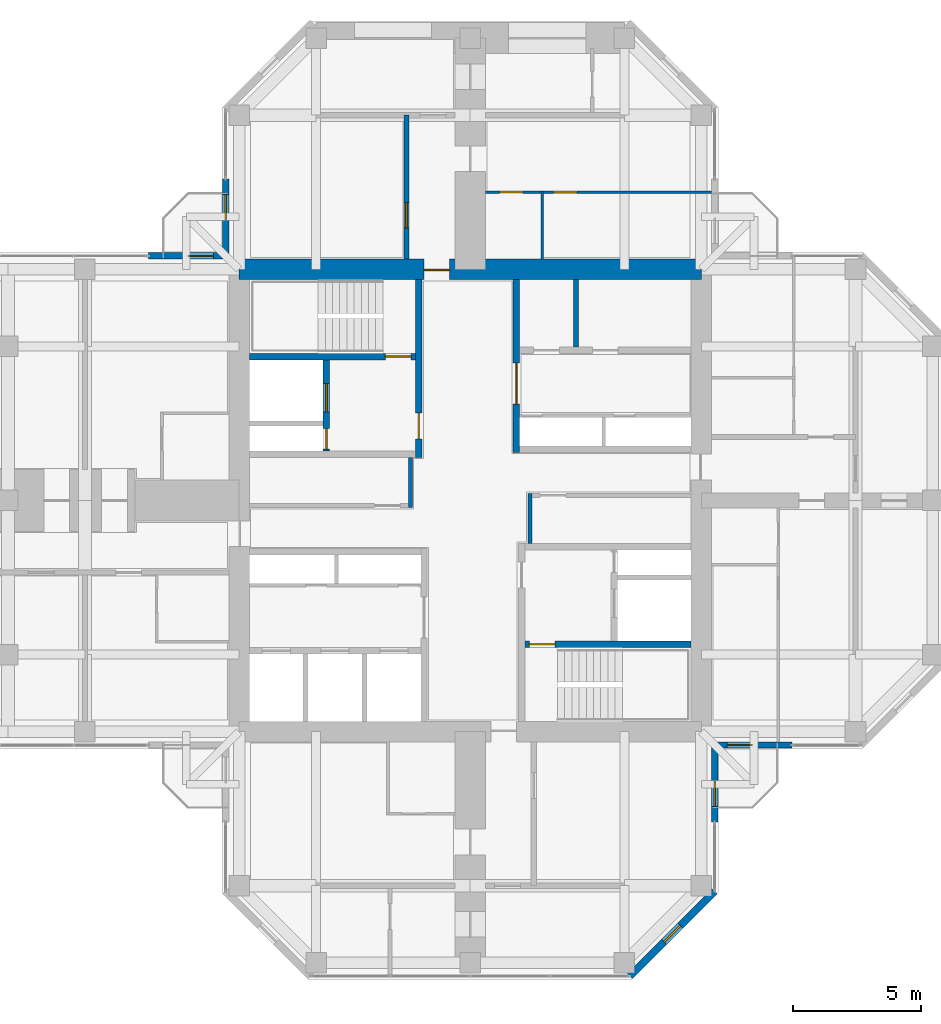
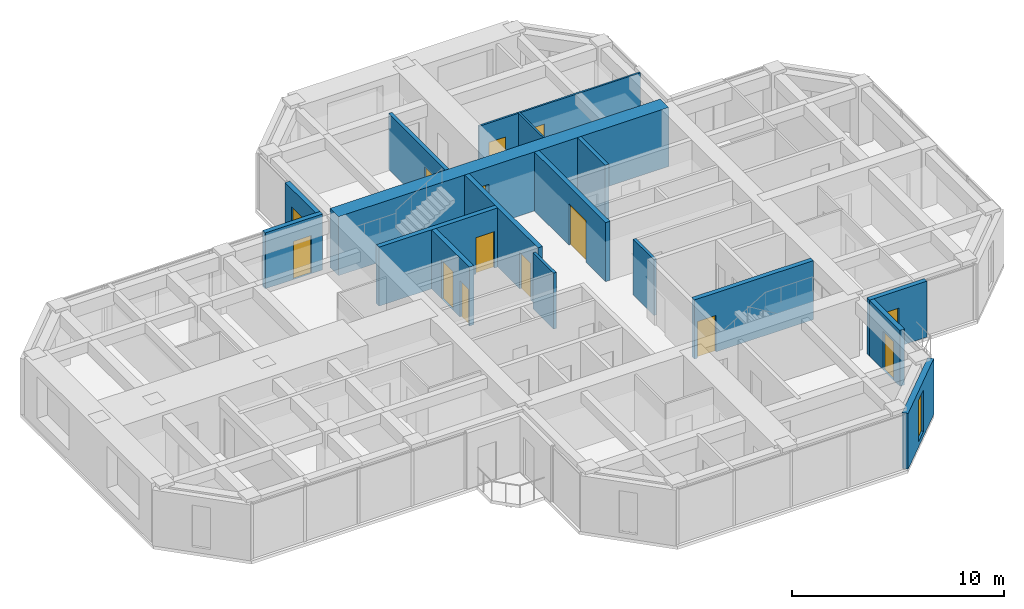
# One storey, part 10 of 13: 17 walls, 14 doors, 1 window, 15 openings.
"""IFC4 building model written with IfcOpenShell, lengths in metres."""

from ifc_helpers import new_model, si_unit, direction, frame, frame_2d, origin, place, context, subcontext, project, spatial, rectangle, hollow_rectangle, extrude, material, layer, layer_set, constituent, constituent_set, type_object, element, fill, save


model = new_model("IFC4")

# Units and contexts
model_context = context("Model", 3, precision=1e-05, world=origin(), true_north=direction((0.0, 1.0)))
body_context = subcontext(model_context, "Body", "Model", "MODEL_VIEW")
ifc_project = project(units=[si_unit("LENGTHUNIT", "METRE"), si_unit("AREAUNIT", "SQUARE_METRE"), si_unit("VOLUMEUNIT", "CUBIC_METRE"), si_unit("PLANEANGLEUNIT", "RADIAN"), si_unit("MASSUNIT", "GRAM", prefix="KILO")], contexts=[model_context])

# Site, building, storey
site_placement = place(None, origin())
site = spatial("IfcSite", under=ifc_project, at=site_placement, CompositionType="ELEMENT")
building_placement = place(site_placement, origin())
building = spatial("IfcBuilding", under=site, at=building_placement, Name="Torre Cruceta", CompositionType="ELEMENT")
storey_placement = place(building_placement, frame((0.0, 0.0, 245.89990234375)))
storey = spatial("IfcBuildingStorey", under=building, at=storey_placement, Name="L63", CompositionType="ELEMENT", Elevation=245.89990234375)

# Wall
ifc_material_1 = material(Name="Water-resistant plasterboard on steel studs", Category="steel")
ifc_layer_1 = layer(ifc_material_1, 0.10009765625)
ifc_layer_set_1 = layer_set([ifc_layer_1], Name="Water-resistant plasterboard on steel studs")
wall_type_1 = type_object("IfcWallType", Name="BATHROOM WALL 100", PredefinedType="PARTITIONING", material=ifc_layer_set_1)
wall_1_placement = place(storey_placement, frame((2.800048828125, 9.39990234375, 0.0), z_axis=(0.0, 0.0, 1.0), x_axis=(0.0, 1.0, 0.0)))
element("IfcWall", 1, at=wall_1_placement, inside=storey, type_object=wall_type_1, Name="PT4 L63-N-U1RBB", PredefinedType="PARTITIONING", context=body_context, shape_type="SweptSolid", body=[
    extrude(rectangle(XDim=2.650146484375, YDim=0.10009765625, at=frame_2d((1.3251953125, 0.0))), origin(), (0.0, 0.0, 1.0), 3.22021484375),
])

# Wall, openings, doors
wall_2_placement = place(storey_placement, frame((9.39501953125, 12.0, 0.0), z_axis=(0.0, 0.0, 1.0), x_axis=(-1.0, 0.0, 0.0)))
wall_2 = element("IfcWall", 2, at=wall_2_placement, inside=storey, type_object=wall_type_1, Name="PT4 L63-N-U1RBS", PredefinedType="PARTITIONING", context=body_context, shape_type="SweptSolid", body=[
    extrude(rectangle(XDim=8.794921875, YDim=0.10009765625, at=frame_2d((4.3974609375, 0.0))), origin(), (0.0, 0.0, 1.0), 3.22021484375),
])
opening_1_placement = place(wall_2_placement, frame((5.2451171875, 0.0, 0.0)))
opening_1 = element("IfcOpeningElement", 3, at=opening_1_placement, cuts=wall_2, Name="Opening D7", PredefinedType="OPENING", context=body_context, shape_type="SweptSolid", body=[
    extrude(rectangle(XDim=0.89990234375, YDim=2.10009765625, at=frame_2d((0.449951171875, 1.050048828125))), frame((0.0, 0.06005859375, 0.0), z_axis=(0.0, -1.0, 0.0), x_axis=(1.0, 0.0, 0.0)), (0.0, 0.0, 1.0), 0.1201171875),
])
opening_2_placement = place(wall_2_placement, frame((7.344970703125, 0.0, 0.0)))
opening_2 = element("IfcOpeningElement", 4, at=opening_2_placement, cuts=wall_2, Name="Opening D7", PredefinedType="OPENING", context=body_context, shape_type="SweptSolid", body=[
    extrude(rectangle(XDim=0.89990234375, YDim=2.10009765625, at=frame_2d((0.449951171875, 1.050048828125))), frame((0.0, 0.06005859375, 0.0), z_axis=(0.0, -1.0, 0.0), x_axis=(1.0, 0.0, 0.0)), (0.0, 0.0, 1.0), 0.1201171875),
])
ifc_material_2 = material(Name="Timber door", Category="wood")
door_type_1 = type_object("IfcDoorType", Name="BATHROOM DOOR 900X2100", OperationType="SINGLE_SWING_LEFT", PredefinedType="DOOR", material=ifc_material_2)
door_1_placement = place(opening_1_placement, origin())
door_1 = element("IfcDoor", 5, at=door_1_placement, inside=storey, type_object=door_type_1, Name="D7 L63-N-U1RBS-D1", OperationType="SINGLE_SWING_RIGHT", OverallHeight=2.10009765625, OverallWidth=0.89990234375, PredefinedType="DOOR", context=body_context, shape_type="SweptSolid", body=[
    extrude(rectangle(XDim=0.89990234375, YDim=2.10009765625, at=frame_2d((0.449951171875, 1.050048828125))), frame((0.0, 0.02490234375, 0.0), z_axis=(0.0, -1.0, 0.0), x_axis=(1.0, 0.0, 0.0)), (0.0, 0.0, 1.0), 0.050048828125),
])
fill(opening_1, door_1)
door_2_placement = place(opening_2_placement, origin())
door_2 = element("IfcDoor", 6, at=door_2_placement, inside=storey, type_object=door_type_1, Name="D7 L63-N-U1RBS-D2", OperationType="SINGLE_SWING_RIGHT", OverallHeight=2.10009765625, OverallWidth=0.89990234375, PredefinedType="DOOR", context=body_context, shape_type="SweptSolid", body=[
    extrude(rectangle(XDim=0.89990234375, YDim=2.10009765625, at=frame_2d((0.449951171875, 1.050048828125))), frame((0.0, 0.02490234375, 0.0), z_axis=(0.0, -1.0, 0.0), x_axis=(1.0, 0.0, 0.0)), (0.0, 0.0, 1.0), 0.050048828125),
])
fill(opening_2, door_2)

# Wall, opening, door
ifc_material_3 = material(Name="Concrete G60 (fck 60 MPa)", Category="concrete")
ifc_layer_2 = layer(ifc_material_3, 0.25)
ifc_layer_set_2 = layer_set([ifc_layer_2], Name="Concrete G60 (fck 60 MPa)")
wall_type_2 = type_object("IfcWallType", Name="CORE INNER WALL 250 G60", PredefinedType="SHEAR", material=ifc_layer_set_2)
wall_3_placement = place(storey_placement, frame((1.800048828125, 1.875, 0.0), z_axis=(0.0, 0.0, 1.0), x_axis=(0.0, 1.0, 0.0)))
wall_3 = element("IfcWall", 7, at=wall_3_placement, inside=storey, type_object=wall_type_2, Name="CW4 L63 NE-CU", PredefinedType="SHEAR", context=body_context, shape_type="SweptSolid", body=[
    extrude(rectangle(XDim=6.72509765625, YDim=0.25, at=frame_2d((3.362548828125, 0.0))), origin(), (0.0, 0.0, 1.0), 3.400146484375),
])
opening_3_placement = place(wall_3_placement, frame((1.875, 0.0, 0.0)))
opening_3 = element("IfcOpeningElement", 8, at=opening_3_placement, cuts=wall_3, Name="Opening D15", PredefinedType="OPENING", context=body_context, shape_type="SweptSolid", body=[
    extrude(rectangle(XDim=1.60009765625, YDim=2.39990234375, at=frame_2d((0.800048828125, 1.199951171875))), frame((0.0, 0.135009765625, 0.0), z_axis=(0.0, -1.0, 0.0), x_axis=(1.0, 0.0, 0.0)), (0.0, 0.0, 1.0), 0.27001953125),
])
ifc_material_4 = material(Name="Steel DX51D", Category="steel")
ifc_constituent_1 = constituent(ifc_material_4, Name="Leaf and frame")
ifc_material_5 = material(Name="Polyester powder coating", Category="paint")
ifc_constituent_2 = constituent(ifc_material_5, Name="Finish")
ifc_constituent_set_1 = constituent_set(constituents=[ifc_constituent_1, ifc_constituent_2], Name="Steel fire door")
door_type_2 = type_object("IfcDoorType", Name="CORE ROOM DOUBLE DOOR 1600X2400", OperationType="DOUBLE_DOOR_SINGLE_SWING", PredefinedType="DOOR", material=ifc_constituent_set_1)
door_3_placement = place(opening_3_placement, frame((1.60009765625, 0.0, 0.0), z_axis=(0.0, 0.0, 1.0), x_axis=(-1.0, 0.0, 0.0)))
door_3 = element("IfcDoor", 9, at=door_3_placement, inside=storey, type_object=door_type_2, Name="D15 L63 NE-LOBBY", OperationType="DOUBLE_DOOR_SINGLE_SWING", OverallHeight=2.39990234375, OverallWidth=1.60009765625, PredefinedType="DOOR", context=body_context, shape_type="SweptSolid", body=[
    extrude(rectangle(XDim=1.60009765625, YDim=2.39990234375, at=frame_2d((0.800048828125, 1.199951171875))), frame((0.0, 0.025146484375, 0.0), z_axis=(0.0, -1.0, 0.0), x_axis=(1.0, 0.0, 0.0)), (0.0, 0.0, 1.0), 0.050048828125),
])
fill(opening_3, door_3)

wall_4_placement = place(storey_placement, frame((-2.0, 1.675048828125, 0.0), z_axis=(0.0, 0.0, 1.0), x_axis=(0.0, 1.0, 0.0)))
wall_4 = element("IfcWall", 10, at=wall_4_placement, inside=storey, type_object=wall_type_2, Name="CW4 L63 NW-CU", PredefinedType="SHEAR", context=body_context, shape_type="SweptSolid", body=[
    extrude(rectangle(XDim=6.925048828125, YDim=0.25, at=frame_2d((3.46240234375, 0.0))), origin(), (0.0, 0.0, 1.0), 3.400146484375),
])
opening_4_placement = place(wall_4_placement, frame((0.72509765625, 0.0, 0.0)))
opening_4 = element("IfcOpeningElement", 11, at=opening_4_placement, cuts=wall_4, Name="Opening D3", PredefinedType="OPENING", context=body_context, shape_type="SweptSolid", body=[
    extrude(rectangle(XDim=1.0, YDim=2.10009765625, at=frame_2d((0.5, 1.050048828125))), frame((0.0, 0.135009765625, 0.0), z_axis=(0.0, -1.0, 0.0), x_axis=(1.0, 0.0, 0.0)), (0.0, 0.0, 1.0), 0.27001953125),
])
ifc_material_6 = material(Name="Steel DX51D", Category="steel")
ifc_constituent_3 = constituent(ifc_material_6, Name="Leaf and frame")
ifc_material_7 = material(Name="Polyester powder coating", Category="paint")
ifc_constituent_4 = constituent(ifc_material_7, Name="Finish")
ifc_constituent_set_2 = constituent_set(constituents=[ifc_constituent_3, ifc_constituent_4], Name="Steel fire door")
door_type_3 = type_object("IfcDoorType", Name="FIRE DOOR 1000X2100", OperationType="SINGLE_SWING_LEFT", PredefinedType="DOOR", material=ifc_constituent_set_2)
door_4_placement = place(opening_4_placement, origin())
door_4 = element("IfcDoor", 12, at=door_4_placement, inside=storey, type_object=door_type_3, Name="D3 L63 NW-LOBBY", OperationType="SINGLE_SWING_LEFT", OverallHeight=2.10009765625, OverallWidth=1.0, PredefinedType="DOOR", context=body_context, shape_type="SweptSolid", body=[
    extrude(rectangle(XDim=1.0, YDim=2.10009765625, at=frame_2d((0.5, 1.050048828125))), frame((0.0, 0.02490234375, 0.0), z_axis=(0.0, -1.0, 0.0), x_axis=(1.0, 0.0, 0.0)), (0.0, 0.0, 1.0), 0.050048828125),
])
fill(opening_4, door_4)

wall_5_placement = place(storey_placement, frame((-2.125, 5.60009765625, 0.0), z_axis=(0.0, 0.0, 1.0), x_axis=(-1.0, 0.0, 0.0)))
wall_5 = element("IfcWall", 13, at=wall_5_placement, inside=storey, type_object=wall_type_2, Name="CW4 L63 NW-SV", PredefinedType="SHEAR", context=body_context, shape_type="SweptSolid", body=[
    extrude(rectangle(XDim=6.47509765625, YDim=0.25, at=frame_2d((3.237548828125, 0.0))), origin(), (0.0, 0.0, 1.0), 3.400146484375),
])
opening_5_placement = place(wall_5_placement, frame((0.175048828125, 0.0, 0.0)))
opening_5 = element("IfcOpeningElement", 14, at=opening_5_placement, cuts=wall_5, Name="Opening D3", PredefinedType="OPENING", context=body_context, shape_type="SweptSolid", body=[
    extrude(rectangle(XDim=1.0, YDim=2.10009765625, at=frame_2d((0.5, 1.050048828125))), frame((0.0, 0.135009765625, 0.0), z_axis=(0.0, -1.0, 0.0), x_axis=(1.0, 0.0, 0.0)), (0.0, 0.0, 1.0), 0.27001953125),
])
door_5_placement = place(opening_5_placement, frame((1.0, 0.0, 0.0), z_axis=(0.0, 0.0, 1.0), x_axis=(-1.0, 0.0, 0.0)))
door_5 = element("IfcDoor", 15, at=door_5_placement, inside=storey, type_object=door_type_3, Name="D3 L63 NW-STAIR", OperationType="SINGLE_SWING_RIGHT", OverallHeight=2.10009765625, OverallWidth=1.0, PredefinedType="DOOR", context=body_context, shape_type="SweptSolid", body=[
    extrude(rectangle(XDim=1.0, YDim=2.10009765625, at=frame_2d((0.5, 1.050048828125))), frame((0.0, 0.025146484375, 0.0), z_axis=(0.0, -1.0, 0.0), x_axis=(1.0, 0.0, 0.0)), (0.0, 0.0, 1.0), 0.050048828125),
])
fill(opening_5, door_5)

# Wall, openings, doors
wall_6_placement = place(storey_placement, frame((-5.60009765625, 1.925048828125, 0.0), z_axis=(0.0, 0.0, 1.0), x_axis=(0.0, 1.0, 0.0)))
wall_6 = element("IfcWall", 16, at=wall_6_placement, inside=storey, type_object=wall_type_2, Name="CW4 L63 NW-FU", PredefinedType="SHEAR", context=body_context, shape_type="SweptSolid", body=[
    extrude(rectangle(XDim=3.550048828125, YDim=0.25, at=frame_2d((1.77490234375, 0.0))), origin(), (0.0, 0.0, 1.0), 3.400146484375),
])
opening_6_placement = place(wall_6_placement, frame((1.52490234375, 0.0, 0.0)))
opening_6 = element("IfcOpeningElement", 17, at=opening_6_placement, cuts=wall_6, Name="Opening LD1", PredefinedType="OPENING", context=body_context, shape_type="SweptSolid", body=[
    extrude(rectangle(XDim=1.10009765625, YDim=2.199951171875, at=frame_2d((0.550048828125, 1.10009765625))), frame((0.0, 0.135009765625, 0.0), z_axis=(0.0, -1.0, 0.0), x_axis=(1.0, 0.0, 0.0)), (0.0, 0.0, 1.0), 0.27001953125),
])
opening_7_placement = place(wall_6_placement, frame((0.074951171875, 0.0, 0.0)))
opening_7 = element("IfcOpeningElement", 18, at=opening_7_placement, cuts=wall_6, Name="Opening D5", PredefinedType="OPENING", context=body_context, shape_type="SweptSolid", body=[
    extrude(rectangle(XDim=0.800048828125, YDim=2.10009765625, at=frame_2d((0.39990234375, 1.050048828125))), frame((0.0, 0.135009765625, 0.0), z_axis=(0.0, -1.0, 0.0), x_axis=(1.0, 0.0, 0.0)), (0.0, 0.0, 1.0), 0.27001953125),
])
ifc_material_8 = material(Name="Stainless steel 1.4401", Category="steel")
door_type_4 = type_object("IfcDoorType", Name="LIFT LANDING DOOR 1100X2200", OperationType="DOUBLE_DOOR_SLIDING", PredefinedType="DOOR", material=ifc_material_8)
door_6_placement = place(opening_6_placement, origin())
door_6 = element("IfcDoor", 19, at=door_6_placement, inside=storey, type_object=door_type_4, Name="Lift landing door FL1", OperationType="DOUBLE_DOOR_SLIDING", OverallHeight=2.199951171875, OverallWidth=1.10009765625, PredefinedType="DOOR", context=body_context, shape_type="SweptSolid", body=[
    extrude(rectangle(XDim=1.10009765625, YDim=2.199951171875, at=frame_2d((0.550048828125, 1.10009765625))), frame((0.0, 0.02490234375, 0.0), z_axis=(0.0, -1.0, 0.0), x_axis=(1.0, 0.0, 0.0)), (0.0, 0.0, 1.0), 0.050048828125),
])
fill(opening_6, door_6)
ifc_material_9 = material(Name="Steel DX51D", Category="steel")
ifc_constituent_5 = constituent(ifc_material_9, Name="Leaf and frame")
ifc_material_10 = material(Name="Polyester powder coating", Category="paint")
ifc_constituent_6 = constituent(ifc_material_10, Name="Finish")
ifc_constituent_set_3 = constituent_set(constituents=[ifc_constituent_5, ifc_constituent_6], Name="Steel fire door")
door_type_5 = type_object("IfcDoorType", Name="RISER ACCESS DOOR 800X2100", OperationType="SINGLE_SWING_LEFT", PredefinedType="DOOR", material=ifc_constituent_set_3)
door_7_placement = place(opening_7_placement, origin())
door_7 = element("IfcDoor", 20, at=door_7_placement, inside=storey, type_object=door_type_5, Name="D5 L63 NW-RISER", OperationType="SINGLE_SWING_LEFT", OverallHeight=2.10009765625, OverallWidth=0.800048828125, PredefinedType="DOOR", context=body_context, shape_type="SweptSolid", body=[
    extrude(rectangle(XDim=0.800048828125, YDim=2.10009765625, at=frame_2d((0.39990234375, 1.050048828125))), frame((0.0, 0.02490234375, 0.0), z_axis=(0.0, -1.0, 0.0), x_axis=(1.0, 0.0, 0.0)), (0.0, 0.0, 1.0), 0.050048828125),
])
fill(opening_7, door_7)

# Wall, opening, door
wall_7_placement = place(storey_placement, frame((2.125, -5.60009765625, 0.0), z_axis=(0.0, 0.0, 1.0), x_axis=(1.0, 0.0, 0.0)))
wall_7 = element("IfcWall", 21, at=wall_7_placement, inside=storey, type_object=wall_type_2, Name="CW4 L63 SE-SV", PredefinedType="SHEAR", context=body_context, shape_type="SweptSolid", body=[
    extrude(rectangle(XDim=6.47509765625, YDim=0.25, at=frame_2d((3.237548828125, 0.0))), origin(), (0.0, 0.0, 1.0), 3.400146484375),
])
opening_8_placement = place(wall_7_placement, frame((0.175048828125, 0.0, 0.0)))
opening_8 = element("IfcOpeningElement", 22, at=opening_8_placement, cuts=wall_7, Name="Opening D3", PredefinedType="OPENING", context=body_context, shape_type="SweptSolid", body=[
    extrude(rectangle(XDim=1.0, YDim=2.10009765625, at=frame_2d((0.5, 1.050048828125))), frame((0.0, 0.135009765625, 0.0), z_axis=(0.0, -1.0, 0.0), x_axis=(1.0, 0.0, 0.0)), (0.0, 0.0, 1.0), 0.27001953125),
])
door_8_placement = place(opening_8_placement, frame((1.0, 0.0, 0.0), z_axis=(0.0, 0.0, 1.0), x_axis=(-1.0, 0.0, 0.0)))
door_8 = element("IfcDoor", 23, at=door_8_placement, inside=storey, type_object=door_type_3, Name="D3 L63 SE-STAIR", OperationType="SINGLE_SWING_RIGHT", OverallHeight=2.10009765625, OverallWidth=1.0, PredefinedType="DOOR", context=body_context, shape_type="SweptSolid", body=[
    extrude(rectangle(XDim=1.0, YDim=2.10009765625, at=frame_2d((0.5, 1.050048828125))), frame((0.0, 0.025146484375, 0.0), z_axis=(0.0, -1.0, 0.0), x_axis=(1.0, 0.0, 0.0)), (0.0, 0.0, 1.0), 0.050048828125),
])
fill(opening_8, door_8)

ifc_material_11 = material(Name="Concrete G60 (fck 60 MPa)", Category="concrete")
ifc_layer_3 = layer(ifc_material_11, 0.800048828125)
ifc_layer_set_3 = layer_set([ifc_layer_3], Name="Concrete G60 (fck 60 MPa)")
wall_type_3 = type_object("IfcWallType", Name="CORE WALL 800 G60", PredefinedType="SHEAR", material=ifc_layer_set_3)
wall_8_placement = place(storey_placement, frame((9.0, 9.0, 0.0), z_axis=(0.0, 0.0, 1.0), x_axis=(-1.0, 0.0, 0.0)))
wall_8 = element("IfcWall", 24, at=wall_8_placement, inside=storey, type_object=wall_type_3, Name="CW3 L63 CW-N", PredefinedType="SHEAR", context=body_context, shape_type="SweptSolid", body=[
    extrude(rectangle(XDim=18.0, YDim=0.800048828125, at=frame_2d((9.0, 0.0))), origin(), (0.0, 0.0, 1.0), 3.400146484375),
])
opening_9_placement = place(wall_8_placement, frame((9.800048828125, 0.0, 0.0)))
opening_9 = element("IfcOpeningElement", 25, at=opening_9_placement, cuts=wall_8, Name="Opening D4", PredefinedType="OPENING", context=body_context, shape_type="SweptSolid", body=[
    extrude(rectangle(XDim=1.0, YDim=2.39990234375, at=frame_2d((0.5, 1.199951171875))), frame((0.0, 0.409912109375, 0.0), z_axis=(0.0, -1.0, 0.0), x_axis=(1.0, 0.0, 0.0)), (0.0, 0.0, 1.0), 0.820068359375),
])
ifc_material_12 = material(Name="Steel DX51D", Category="steel")
ifc_constituent_7 = constituent(ifc_material_12, Name="Leaf and frame")
ifc_material_13 = material(Name="Polyester powder coating", Category="paint")
ifc_constituent_8 = constituent(ifc_material_13, Name="Finish")
ifc_constituent_set_4 = constituent_set(constituents=[ifc_constituent_7, ifc_constituent_8], Name="Steel fire door")
door_type_6 = type_object("IfcDoorType", Name="CORE ARM DOOR 1000X2400", OperationType="SINGLE_SWING_RIGHT", PredefinedType="DOOR", material=ifc_constituent_set_4)
door_9_placement = place(opening_9_placement, origin())
door_9 = element("IfcDoor", 26, at=door_9_placement, inside=storey, type_object=door_type_6, Name="D4 L63 CW-N", OperationType="SINGLE_SWING_RIGHT", OverallHeight=2.39990234375, OverallWidth=1.0, PredefinedType="DOOR", context=body_context, shape_type="SweptSolid", body=[
    extrude(rectangle(XDim=1.0, YDim=2.39990234375, at=frame_2d((0.5, 1.199951171875))), frame((0.0, 0.05517578125, 0.0), z_axis=(0.0, -1.0, 0.0), x_axis=(1.0, 0.0, 0.0)), (0.0, 0.0, 1.0), 0.050048828125),
])
fill(opening_9, door_9)

ifc_material_14 = material(Name="Concrete G25 (fck 25 MPa)", Category="concrete")
ifc_layer_4 = layer(ifc_material_14, 0.199951171875)
ifc_layer_set_4 = layer_set([ifc_layer_4], Name="Concrete G25 (fck 25 MPa)")
wall_type_4 = type_object("IfcWallType", Name="CORRIDOR WALL 200", PredefinedType="SOLIDWALL", material=ifc_layer_set_4)
wall_9_placement = place(storey_placement, frame((-2.47509765625, 9.39990234375, 0.0), z_axis=(0.0, 0.0, 1.0), x_axis=(0.0, 1.0, 0.0)))
wall_9 = element("IfcWall", 27, at=wall_9_placement, inside=storey, type_object=wall_type_4, Name="PT3 L63-N-CL", PredefinedType="SOLIDWALL", context=body_context, shape_type="SweptSolid", body=[
    extrude(rectangle(XDim=5.60009765625, YDim=0.199951171875, at=frame_2d((2.800048828125, 0.0))), origin(), (0.0, 0.0, 1.0), 3.22021484375),
])
opening_10_placement = place(wall_9_placement, frame((1.199951171875, 0.0, 0.0)))
opening_10 = element("IfcOpeningElement", 28, at=opening_10_placement, cuts=wall_9, Name="Opening D14", PredefinedType="OPENING", context=body_context, shape_type="SweptSolid", body=[
    extrude(rectangle(XDim=1.0, YDim=2.199951171875, at=frame_2d((0.5, 1.10009765625))), frame((0.0, 0.10986328125, 0.0), z_axis=(0.0, -1.0, 0.0), x_axis=(1.0, 0.0, 0.0)), (0.0, 0.0, 1.0), 0.219970703125),
])
ifc_material_15 = material(Name="Steel DX51D", Category="steel")
ifc_constituent_9 = constituent(ifc_material_15, Name="Leaf and frame")
ifc_material_16 = material(Name="Polyester powder coating", Category="paint")
ifc_constituent_10 = constituent(ifc_material_16, Name="Finish")
ifc_material_17 = material(Name="Fire-resisting glass", Category="glass")
ifc_constituent_11 = constituent(ifc_material_17, Name="Vision panel")
ifc_constituent_set_5 = constituent_set(constituents=[ifc_constituent_9, ifc_constituent_10, ifc_constituent_11], Name="Steel fire door with vision panel")
door_type_7 = type_object("IfcDoorType", Name="FIRE DOOR VISION PANEL 1000X2200", OperationType="SINGLE_SWING_RIGHT", PredefinedType="DOOR", material=ifc_constituent_set_5)
door_10_placement = place(opening_10_placement, origin())
door_10 = element("IfcDoor", 29, at=door_10_placement, inside=storey, type_object=door_type_7, Name="D14 L63-N-CL-D1", OperationType="SINGLE_SWING_LEFT", OverallHeight=2.199951171875, OverallWidth=1.0, PredefinedType="DOOR", context=body_context, shape_type="SweptSolid", body=[
    extrude(rectangle(XDim=1.0, YDim=2.199951171875, at=frame_2d((0.5, 1.10009765625))), frame((0.0, 0.02490234375, 0.0), z_axis=(0.0, -1.0, 0.0), x_axis=(1.0, 0.0, 0.0)), (0.0, 0.0, 1.0), 0.050048828125),
])
fill(opening_10, door_10)

# Wall, opening, window
ifc_material_18 = material(Name="Concrete G30 (fck 30 MPa)", Category="concrete")
ifc_layer_5 = layer(ifc_material_18, 0.300048828125)
ifc_layer_set_5 = layer_set([ifc_layer_5], Name="Concrete G30 (fck 30 MPa)")
wall_type_5 = type_object("IfcWallType", Name="EXPOSED CONCRETE FACADE WALL 300", PredefinedType="SOLIDWALL", material=ifc_layer_set_5)
wall_10_placement = place(storey_placement, frame((6.21533203125, -18.52001953125, 0.0), z_axis=(0.0, 0.0, 1.0), x_axis=(0.707106781187, 0.707106781187, 0.0)))
wall_10 = element("IfcWall", 30, at=wall_10_placement, inside=storey, type_object=wall_type_5, Name="EW1 facade wall L63 S chamfer 18", PredefinedType="SOLIDWALL", context=body_context, shape_type="SweptSolid", body=[
    extrude(rectangle(XDim=4.673583984375, YDim=0.300048828125, at=frame_2d((2.3369140625, 0.0))), origin(), (0.0, 0.0, 1.0), 3.22021484375),
])
opening_11_placement = place(wall_10_placement, frame((1.88671875, 0.0, 0.300048828125)))
opening_11 = element("IfcOpeningElement", 31, at=opening_11_placement, cuts=wall_10, Name="Opening WN5", PredefinedType="OPENING", context=body_context, shape_type="SweptSolid", body=[
    extrude(rectangle(XDim=0.89990234375, YDim=2.39990234375, at=frame_2d((0.449951171875, 1.199951171875))), frame((0.0, 0.159912109375, 0.0), z_axis=(0.0, -1.0, 0.0), x_axis=(1.0, 0.0, 0.0)), (0.0, 0.0, 1.0), 0.320068359375),
])
ifc_material_19 = material(Name="Aluminium window frame", Category="aluminium")
ifc_constituent_12 = constituent(ifc_material_19, Name="Frame")
ifc_material_20 = material(Name="Laminated insulating glass unit, low-iron clear", Category="glass")
ifc_constituent_13 = constituent(ifc_material_20, Name="Glazing")
ifc_constituent_set_6 = constituent_set(constituents=[ifc_constituent_12, ifc_constituent_13], Name="Aluminium window")
window_type = type_object("IfcWindowType", Name="CHAMFER SLOT WINDOW 900X2400", PartitioningType="SINGLE_PANEL", PredefinedType="WINDOW", material=ifc_constituent_set_6)
window_placement = place(opening_11_placement, origin())
window = element("IfcWindow", 32, at=window_placement, inside=storey, type_object=window_type, Name="WN5 L63 S 1", OverallHeight=2.39990234375, OverallWidth=0.89990234375, PartitioningType="SINGLE_PANEL", PredefinedType="WINDOW", context=body_context, shape_type="SweptSolid", body=[
    extrude(hollow_rectangle(XDim=0.89990234375, YDim=2.39990234375, WallThickness=0.06005859375, at=frame_2d((0.449951171875, 1.199951171875))), frame((0.0, 0.030029296875, 0.0), z_axis=(0.0, -1.0, 0.0), x_axis=(1.0, 0.0, 0.0)), (0.0, 0.0, 1.0), 0.06005859375),
    extrude(rectangle(XDim=0.77880859375, YDim=2.27880859375, at=frame_2d((0.449951171875, 1.199951171875))), frame((0.0, 0.030029296875, 0.0), z_axis=(0.0, -1.0, 0.0), x_axis=(1.0, 0.0, 0.0)), (0.0, 0.0, 1.0), 0.06005859375),
])
fill(opening_11, window)

# Walls
ifc_material_21 = material(Name="Concrete G35 (fck 35 MPa)", Category="concrete")
ifc_layer_6 = layer(ifc_material_21, 0.199951171875)
ifc_layer_set_6 = layer_set([ifc_layer_6], Name="Concrete G35 (fck 35 MPa)")
wall_type_6 = type_object("IfcWallType", Name="LIFT SHAFT WALL 200", PredefinedType="PARTITIONING", material=ifc_layer_set_6)
wall_11_placement = place(storey_placement, frame((4.11669921875, 5.97509765625, 0.0), z_axis=(0.0, 0.0, 1.0), x_axis=(0.0, 1.0, 0.0)))
element("IfcWall", 33, at=wall_11_placement, inside=storey, type_object=wall_type_6, Name="SW1 L63 NE-LS1", PredefinedType="PARTITIONING", context=body_context, shape_type="SweptSolid", body=[
    extrude(rectangle(XDim=2.625, YDim=0.199951171875, at=frame_2d((1.3125, 0.0))), origin(), (0.0, 0.0, 1.0), 3.400146484375),
])
ifc_material_22 = material(Name="Plasterboard on steel studs", Category="steel")
ifc_layer_7 = layer(ifc_material_22, 0.14990234375)
ifc_layer_set_7 = layer_set([ifc_layer_7], Name="Plasterboard on steel studs")
wall_type_7 = type_object("IfcWallType", Name="PARTITION 150", PredefinedType="PARTITIONING", material=ifc_layer_set_7)
for number, where, z_axis, x_axis, name in (
    (34, (2.324951171875, -1.675048828125, 0.0), (0.0, 0.0, 1.0), (0.0, 1.0, 0.0), "PT1 L63-CORE-LEGE-S-W2"),
    (35, (-2.324951171875, 1.675048828125, 0.0), (0.0, 0.0, 1.0), (0.0, -1.0, 0.0), "PT1 L63-CORE-LEGW-N-W2"),
):
    element("IfcWall", number, at=place(storey_placement, frame(where, z_axis=z_axis, x_axis=x_axis)), inside=storey, type_object=wall_type_7, Name=name, PredefinedType="PARTITIONING", context=body_context, shape_type="SweptSolid", body=[
        extrude(rectangle(XDim=1.949951171875, YDim=0.14990234375, at=frame_2d((0.97509765625, 0.0))), origin(), (0.0, 0.0, 1.0), 3.22021484375),
    ])

# Wall, opening, door
ifc_material_23 = material(Name="Concrete G30 (fck 30 MPa)", Category="concrete")
ifc_layer_8 = layer(ifc_material_23, 0.25)
ifc_layer_set_8 = layer_set([ifc_layer_8], Name="Concrete G30 (fck 30 MPa)")
wall_type_8 = type_object("IfcWallType", Name="WINTER GARDEN WALL 250", PredefinedType="SOLIDWALL", material=ifc_layer_set_8)
wall_12_placement = place(storey_placement, frame((9.39501953125, -9.52001953125, 0.0), z_axis=(0.0, 0.0, 1.0), x_axis=(1.0, 0.0, 0.0)))
wall_12 = element("IfcWall", 36, at=wall_12_placement, inside=storey, type_object=wall_type_8, Name="EW2 winter garden wall L63 00", PredefinedType="SOLIDWALL", context=body_context, shape_type="SweptSolid", body=[
    extrude(rectangle(XDim=3.125, YDim=0.25, at=frame_2d((1.5625, 0.0))), origin(), (0.0, 0.0, 1.0), 3.22021484375),
])
opening_12_placement = place(wall_12_placement, frame((0.60009765625, 0.0, 0.0)))
opening_12 = element("IfcOpeningElement", 37, at=opening_12_placement, cuts=wall_12, Name="Opening D10", PredefinedType="OPENING", context=body_context, shape_type="SweptSolid", body=[
    extrude(rectangle(XDim=1.0, YDim=2.199951171875, at=frame_2d((0.5, 1.10009765625))), frame((0.0, 0.135009765625, 0.0), z_axis=(0.0, -1.0, 0.0), x_axis=(1.0, 0.0, 0.0)), (0.0, 0.0, 1.0), 0.27001953125),
])
ifc_material_24 = material(Name="Aluminium door frame", Category="aluminium")
ifc_constituent_14 = constituent(ifc_material_24, Name="Frame")
ifc_material_25 = material(Name="Laminated safety glass", Category="glass")
ifc_constituent_15 = constituent(ifc_material_25, Name="Glazing")
ifc_constituent_set_7 = constituent_set(constituents=[ifc_constituent_14, ifc_constituent_15], Name="Aluminium glazed door")
door_type_8 = type_object("IfcDoorType", Name="BALCONY DOOR 1000X2200", OperationType="SINGLE_SWING_RIGHT", PredefinedType="DOOR", material=ifc_constituent_set_7)
door_11_placement = place(opening_12_placement, origin())
door_11 = element("IfcDoor", 38, at=door_11_placement, inside=storey, type_object=door_type_8, Name="D10 balcony door L63 00", OperationType="SINGLE_SWING_RIGHT", OverallHeight=2.199951171875, OverallWidth=1.0, PredefinedType="DOOR", context=body_context, shape_type="SweptSolid", body=[
    extrude(hollow_rectangle(XDim=1.0, YDim=2.199951171875, WallThickness=0.06005859375, at=frame_2d((0.5, 1.10009765625))), frame((0.0, 0.02490234375, 0.0), z_axis=(0.0, -1.0, 0.0), x_axis=(1.0, 0.0, 0.0)), (0.0, 0.0, 1.0), 0.050048828125),
    extrude(rectangle(XDim=0.87890625, YDim=2.078857421875, at=frame_2d((0.5, 1.10009765625))), frame((0.0, 0.02490234375, 0.0), z_axis=(0.0, -1.0, 0.0), x_axis=(1.0, 0.0, 0.0)), (0.0, 0.0, 1.0), 0.050048828125),
])
fill(opening_12, door_11)

wall_13_placement = place(storey_placement, frame((-9.52001953125, 12.52001953125, 0.0), z_axis=(0.0, 0.0, 1.0), x_axis=(0.0, -1.0, 0.0)))
wall_13 = element("IfcWall", 39, at=wall_13_placement, inside=storey, type_object=wall_type_8, Name="EW2 winter garden wall L63 09", PredefinedType="SOLIDWALL", context=body_context, shape_type="SweptSolid", body=[
    extrude(rectangle(XDim=2.875, YDim=0.25, at=frame_2d((1.4375, 0.0))), origin(), (0.0, 0.0, 1.0), 3.22021484375),
])
opening_13_placement = place(wall_13_placement, frame((0.60009765625, 0.0, 0.0)))
opening_13 = element("IfcOpeningElement", 40, at=opening_13_placement, cuts=wall_13, Name="Opening D10", PredefinedType="OPENING", context=body_context, shape_type="SweptSolid", body=[
    extrude(rectangle(XDim=1.0, YDim=2.199951171875, at=frame_2d((0.5, 1.10009765625))), frame((0.0, 0.135009765625, 0.0), z_axis=(0.0, -1.0, 0.0), x_axis=(1.0, 0.0, 0.0)), (0.0, 0.0, 1.0), 0.27001953125),
])
door_12_placement = place(opening_13_placement, origin())
door_12 = element("IfcDoor", 41, at=door_12_placement, inside=storey, type_object=door_type_8, Name="D10 balcony door L63 09", OperationType="SINGLE_SWING_RIGHT", OverallHeight=2.199951171875, OverallWidth=1.0, PredefinedType="DOOR", context=body_context, shape_type="SweptSolid", body=[
    extrude(hollow_rectangle(XDim=1.0, YDim=2.199951171875, WallThickness=0.06005859375, at=frame_2d((0.5, 1.10009765625))), frame((0.0, 0.02490234375, 0.0), z_axis=(0.0, -1.0, 0.0), x_axis=(1.0, 0.0, 0.0)), (0.0, 0.0, 1.0), 0.050048828125),
    extrude(rectangle(XDim=0.87890625, YDim=2.078857421875, at=frame_2d((0.5, 1.10009765625))), frame((0.0, 0.02490234375, 0.0), z_axis=(0.0, -1.0, 0.0), x_axis=(1.0, 0.0, 0.0)), (0.0, 0.0, 1.0), 0.050048828125),
])
fill(opening_13, door_12)

wall_14_placement = place(storey_placement, frame((-9.39501953125, 9.52001953125, 0.0), z_axis=(0.0, 0.0, 1.0), x_axis=(-1.0, 0.0, 0.0)))
wall_14 = element("IfcWall", 42, at=wall_14_placement, inside=storey, type_object=wall_type_8, Name="EW2 winter garden wall L63 10", PredefinedType="SOLIDWALL", context=body_context, shape_type="SweptSolid", body=[
    extrude(rectangle(XDim=3.125, YDim=0.25, at=frame_2d((1.5625, 0.0))), origin(), (0.0, 0.0, 1.0), 3.22021484375),
])
opening_14_placement = place(wall_14_placement, frame((0.60009765625, 0.0, 0.0)))
opening_14 = element("IfcOpeningElement", 43, at=opening_14_placement, cuts=wall_14, Name="Opening D10", PredefinedType="OPENING", context=body_context, shape_type="SweptSolid", body=[
    extrude(rectangle(XDim=1.0, YDim=2.199951171875, at=frame_2d((0.5, 1.10009765625))), frame((0.0, 0.135009765625, 0.0), z_axis=(0.0, -1.0, 0.0), x_axis=(1.0, 0.0, 0.0)), (0.0, 0.0, 1.0), 0.27001953125),
])
door_13_placement = place(opening_14_placement, origin())
door_13 = element("IfcDoor", 44, at=door_13_placement, inside=storey, type_object=door_type_8, Name="D10 balcony door L63 10", OperationType="SINGLE_SWING_LEFT", OverallHeight=2.199951171875, OverallWidth=1.0, PredefinedType="DOOR", context=body_context, shape_type="SweptSolid", body=[
    extrude(hollow_rectangle(XDim=1.0, YDim=2.199951171875, WallThickness=0.06005859375, at=frame_2d((0.5, 1.10009765625))), frame((0.0, 0.02490234375, 0.0), z_axis=(0.0, -1.0, 0.0), x_axis=(1.0, 0.0, 0.0)), (0.0, 0.0, 1.0), 0.050048828125),
    extrude(rectangle(XDim=0.87890625, YDim=2.078857421875, at=frame_2d((0.5, 1.10009765625))), frame((0.0, 0.02490234375, 0.0), z_axis=(0.0, -1.0, 0.0), x_axis=(1.0, 0.0, 0.0)), (0.0, 0.0, 1.0), 0.050048828125),
])
fill(opening_14, door_13)

wall_15_placement = place(storey_placement, frame((9.52001953125, -12.52001953125, 0.0), z_axis=(0.0, 0.0, 1.0), x_axis=(0.0, 1.0, 0.0)))
wall_15 = element("IfcWall", 45, at=wall_15_placement, inside=storey, type_object=wall_type_8, Name="EW2 winter garden wall L63 19", PredefinedType="SOLIDWALL", context=body_context, shape_type="SweptSolid", body=[
    extrude(rectangle(XDim=2.875, YDim=0.25, at=frame_2d((1.4375, 0.0))), origin(), (0.0, 0.0, 1.0), 3.22021484375),
])
opening_15_placement = place(wall_15_placement, frame((0.60009765625, 0.0, 0.0)))
opening_15 = element("IfcOpeningElement", 46, at=opening_15_placement, cuts=wall_15, Name="Opening D10", PredefinedType="OPENING", context=body_context, shape_type="SweptSolid", body=[
    extrude(rectangle(XDim=1.0, YDim=2.199951171875, at=frame_2d((0.5, 1.10009765625))), frame((0.0, 0.135009765625, 0.0), z_axis=(0.0, -1.0, 0.0), x_axis=(1.0, 0.0, 0.0)), (0.0, 0.0, 1.0), 0.27001953125),
])
door_14_placement = place(opening_15_placement, origin())
door_14 = element("IfcDoor", 47, at=door_14_placement, inside=storey, type_object=door_type_8, Name="D10 balcony door L63 19", OperationType="SINGLE_SWING_RIGHT", OverallHeight=2.199951171875, OverallWidth=1.0, PredefinedType="DOOR", context=body_context, shape_type="SweptSolid", body=[
    extrude(hollow_rectangle(XDim=1.0, YDim=2.199951171875, WallThickness=0.06005859375, at=frame_2d((0.5, 1.10009765625))), frame((0.0, 0.02490234375, 0.0), z_axis=(0.0, -1.0, 0.0), x_axis=(1.0, 0.0, 0.0)), (0.0, 0.0, 1.0), 0.050048828125),
    extrude(rectangle(XDim=0.87890625, YDim=2.078857421875, at=frame_2d((0.5, 1.10009765625))), frame((0.0, 0.02490234375, 0.0), z_axis=(0.0, -1.0, 0.0), x_axis=(1.0, 0.0, 0.0)), (0.0, 0.0, 1.0), 0.050048828125),
])
fill(opening_15, door_14)

save(model, "model.ifc")
